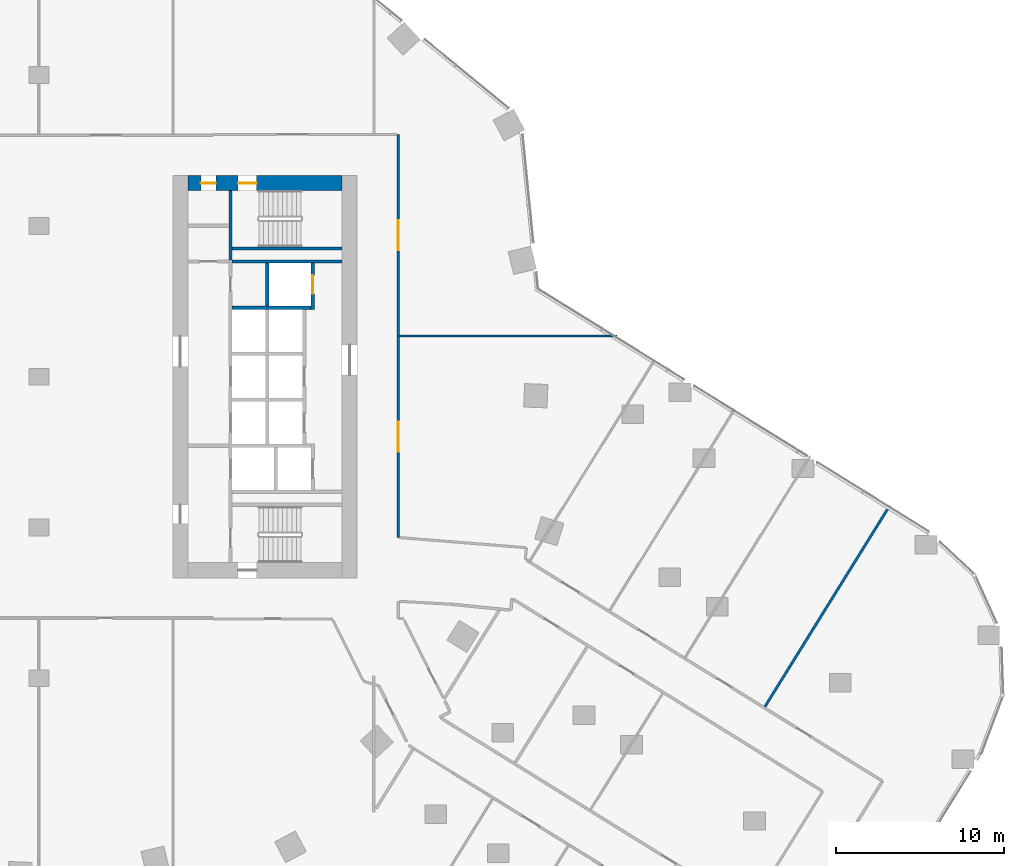
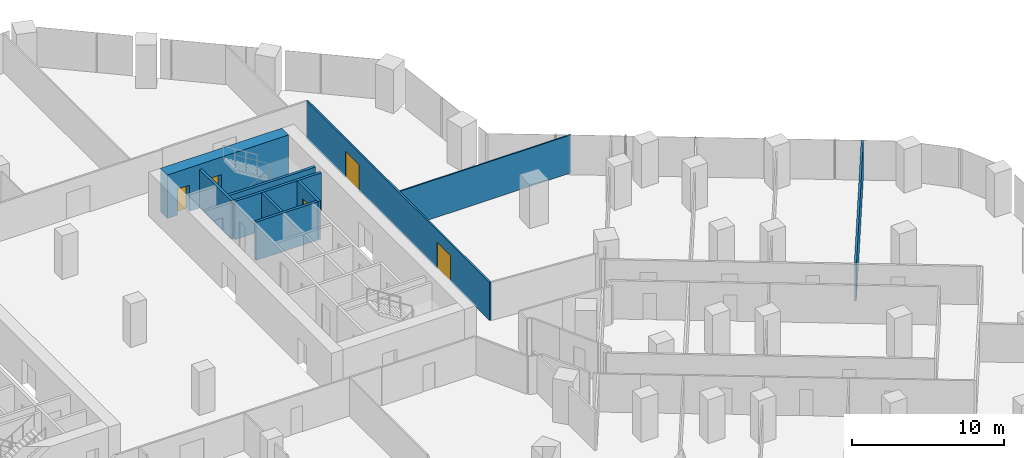
# One storey, part 32 of 34: 10 walls, 5 doors, 5 openings.
"""IFC4 building model written with IfcOpenShell, lengths in metres."""

from ifc_helpers import new_model, si_unit, direction, frame, frame_2d, origin, place, context, subcontext, project, spatial, rectangle, extrude, material, layer, layer_set, type_object, element, fill, save


model = new_model("IFC4")

# Units and contexts
model_context = context("Model", 3, precision=1e-05, world=origin(), true_north=direction((0.0, 1.0)))
body_context = subcontext(model_context, "Body", "Model", "MODEL_VIEW")
ifc_project = project(units=[si_unit("LENGTHUNIT", "METRE"), si_unit("AREAUNIT", "SQUARE_METRE"), si_unit("VOLUMEUNIT", "CUBIC_METRE"), si_unit("PLANEANGLEUNIT", "RADIAN"), si_unit("MASSUNIT", "GRAM", prefix="KILO")], contexts=[model_context])

# Site, building, storey
site_placement = place(None, origin())
site = spatial("IfcSite", under=ifc_project, at=site_placement, CompositionType="ELEMENT")
building_placement = place(site_placement, origin())
building = spatial("IfcBuilding", under=site, at=building_placement, Name="Orlundy Tower", CompositionType="ELEMENT")
storey_placement = place(building_placement, frame((0.0, 0.0, 44.300048828125)))
storey = spatial("IfcBuildingStorey", under=building, at=storey_placement, Name="L09", CompositionType="ELEMENT", Elevation=44.300048828125)

# Wall, openings, doors
ifc_material_1 = material(Name="Concrete C80/95", Category="concrete")
ifc_layer_1 = layer(ifc_material_1, 0.89990234375)
ifc_layer_set_1 = layer_set([ifc_layer_1], Name="CORE WALL 900 C80/95")
wall_type_1 = type_object("IfcWallType", Name="CORE WALL 900 C80/95", PredefinedType="SHEAR", material=ifc_layer_set_1)
wall_1_placement = place(storey_placement, frame((8.89990234375, 11.550048828125, 0.0), z_axis=(0.0, 0.0, 1.0), x_axis=(1.0, 0.0, 0.0)))
wall_1 = element("IfcWall", 1, at=wall_1_placement, inside=storey, type_object=wall_type_1, Name="Core wall E-N L09", PredefinedType="SHEAR", context=body_context, shape_type="SweptSolid", body=[
    extrude(rectangle(XDim=9.2001953125, YDim=0.89990234375, at=frame_2d((4.60009765625, 0.0))), origin(), (0.0, 0.0, 1.0), 3.5),
])
opening_1_placement = place(wall_1_placement, frame((3.0, 0.0, 0.0)))
opening_1 = element("IfcOpeningElement", 2, at=opening_1_placement, cuts=wall_1, Name="Opening 09062", PredefinedType="OPENING", context=body_context, shape_type="SweptSolid", body=[
    extrude(rectangle(XDim=1.10009765625, YDim=2.10009765625, at=frame_2d((0.550048828125, 1.050048828125))), frame((0.0, 0.4599609375, 0.0), z_axis=(0.0, -1.0, 0.0), x_axis=(1.0, 0.0, 0.0)), (0.0, 0.0, 1.0), 0.919921875),
])
opening_2_placement = place(wall_1_placement, frame((0.77001953125, 0.0, 0.0)))
opening_2 = element("IfcOpeningElement", 3, at=opening_2_placement, cuts=wall_1, Name="Opening 09064", PredefinedType="OPENING", context=body_context, shape_type="SweptSolid", body=[
    extrude(rectangle(XDim=0.89990234375, YDim=2.10009765625, at=frame_2d((0.449951171875, 1.050048828125))), frame((0.0, 0.4599609375, 0.0), z_axis=(0.0, -1.0, 0.0), x_axis=(1.0, 0.0, 0.0)), (0.0, 0.0, 1.0), 0.919921875),
])
ifc_material_2 = material(Name="Timber door set", Category="wood")
door_type_1 = type_object("IfcDoorType", Name="Room Door 900x2100", OperationType="SINGLE_SWING_LEFT", PredefinedType="DOOR", material=ifc_material_2)
door_1_placement = place(opening_2_placement, origin())
door_1 = element("IfcDoor", 4, at=door_1_placement, inside=storey, type_object=door_type_1, Name="Store door 09064", OperationType="SINGLE_SWING_LEFT", OverallHeight=2.10009765625, OverallWidth=0.89990234375, PredefinedType="DOOR", context=body_context, shape_type="SweptSolid", body=[
    extrude(rectangle(XDim=0.89990234375, YDim=2.10009765625, at=frame_2d((0.449951171875, 1.050048828125))), frame((0.0, 0.02490234375, 0.0), z_axis=(0.0, -1.0, 0.0), x_axis=(1.0, 0.0, 0.0)), (0.0, 0.0, 1.0), 0.050048828125),
])
fill(opening_2, door_1)
ifc_material_3 = material(Name="Steel door set", Category="steel")
door_type_2 = type_object("IfcDoorType", Name="Stair Door 1100x2100", OperationType="SINGLE_SWING_LEFT", PredefinedType="DOOR", material=ifc_material_3)
door_2_placement = place(opening_1_placement, origin())
door_2 = element("IfcDoor", 5, at=door_2_placement, inside=storey, type_object=door_type_2, Name="Stair door 09062", OperationType="SINGLE_SWING_LEFT", OverallHeight=2.10009765625, OverallWidth=1.10009765625, PredefinedType="DOOR", context=body_context, shape_type="SweptSolid", body=[
    extrude(rectangle(XDim=1.10009765625, YDim=2.10009765625, at=frame_2d((0.550048828125, 1.050048828125))), frame((0.0, 0.02490234375, 0.0), z_axis=(0.0, -1.0, 0.0), x_axis=(1.0, 0.0, 0.0)), (0.0, 0.0, 1.0), 0.050048828125),
])
fill(opening_1, door_2)

# Wall
ifc_material_4 = material(Name="Gypsum board partition")
ifc_layer_2 = layer(ifc_material_4, 0.10009765625)
ifc_layer_set_2 = layer_set([ifc_layer_2], Name="Floor partition 100")
wall_type_2 = type_object("IfcWallType", Name="Floor partition 100", PredefinedType="PARTITIONING", material=ifc_layer_set_2)
wall_2_placement = place(storey_placement, frame((21.511962890625, 2.427001953125, 0.0), z_axis=(0.0, 0.0, 1.0), x_axis=(1.0, 0.0, 0.0)))
element("IfcWall", 6, at=wall_2_placement, inside=storey, type_object=wall_type_2, Name="wall-int-L09-039", PredefinedType="PARTITIONING", context=body_context, shape_type="SweptSolid", body=[
    extrude(rectangle(XDim=12.969970703125, YDim=0.10009765625, at=frame_2d((6.48486328125, 0.0))), origin(), (0.0, 0.0, 1.0), 3.06005859375),
])

# Wall, openings, doors
ifc_material_5 = material(Name="Gypsum board partition, double layer")
ifc_layer_3 = layer(ifc_material_5, 0.125)
ifc_layer_set_3 = layer_set([ifc_layer_3], Name="Floor partition 125")
wall_type_3 = type_object("IfcWallType", Name="Floor partition 125", PredefinedType="PARTITIONING", material=ifc_layer_set_3)
wall_3_placement = place(storey_placement, frame((21.449951171875, 14.450927734375, 0.0), z_axis=(0.0, 0.0, 1.0), x_axis=(0.0, -1.0, 0.0)))
wall_3 = element("IfcWall", 7, at=wall_3_placement, inside=storey, type_object=wall_type_3, Name="wall-int-L09-075", PredefinedType="PARTITIONING", context=body_context, shape_type="SweptSolid", body=[
    extrude(rectangle(XDim=24.044921875, YDim=0.125, at=frame_2d((12.0224609375, 0.0))), origin(), (0.0, 0.0, 1.0), 3.06005859375),
])
opening_3_placement = place(wall_3_placement, frame((17.1240234375, 0.0, 0.0)))
opening_3 = element("IfcOpeningElement", 8, at=opening_3_placement, cuts=wall_3, Name="Opening 09129", PredefinedType="OPENING", context=body_context, shape_type="SweptSolid", body=[
    extrude(rectangle(XDim=1.800048828125, YDim=2.10009765625, at=frame_2d((0.89990234375, 1.050048828125))), frame((0.0, 0.072509765625, 0.0), z_axis=(0.0, -1.0, 0.0), x_axis=(1.0, 0.0, 0.0)), (0.0, 0.0, 1.0), 0.14501953125),
])
opening_4_placement = place(wall_3_placement, frame((5.10009765625, 0.0, 0.0)))
opening_4 = element("IfcOpeningElement", 9, at=opening_4_placement, cuts=wall_3, Name="Opening 09130", PredefinedType="OPENING", context=body_context, shape_type="SweptSolid", body=[
    extrude(rectangle(XDim=1.800048828125, YDim=2.10009765625, at=frame_2d((0.89990234375, 1.050048828125))), frame((0.0, 0.072509765625, 0.0), z_axis=(0.0, -1.0, 0.0), x_axis=(1.0, 0.0, 0.0)), (0.0, 0.0, 1.0), 0.14501953125),
])
ifc_material_6 = material(Name="Timber door leaf", Category="wood")
door_type_3 = type_object("IfcDoorType", Name="Floor door double 1800 FD30S", OperationType="NOTDEFINED", PredefinedType="DOOR", material=ifc_material_6)
door_3_placement = place(opening_3_placement, origin())
door_3 = element("IfcDoor", 10, at=door_3_placement, inside=storey, type_object=door_type_3, Name="Door 09129", OperationType="DOUBLE_DOOR_SINGLE_SWING", OverallHeight=2.10009765625, OverallWidth=1.800048828125, PredefinedType="DOOR", context=body_context, shape_type="SweptSolid", body=[
    extrude(rectangle(XDim=1.800048828125, YDim=2.10009765625, at=frame_2d((0.89990234375, 1.050048828125))), frame((0.0, 0.02490234375, 0.0), z_axis=(0.0, -1.0, 0.0), x_axis=(1.0, 0.0, 0.0)), (0.0, 0.0, 1.0), 0.050048828125),
])
fill(opening_3, door_3)
door_4_placement = place(opening_4_placement, origin())
door_4 = element("IfcDoor", 11, at=door_4_placement, inside=storey, type_object=door_type_3, Name="Door 09130", OperationType="DOUBLE_DOOR_SINGLE_SWING", OverallHeight=2.10009765625, OverallWidth=1.800048828125, PredefinedType="DOOR", context=body_context, shape_type="SweptSolid", body=[
    extrude(rectangle(XDim=1.800048828125, YDim=2.10009765625, at=frame_2d((0.89990234375, 1.050048828125))), frame((0.0, 0.02490234375, 0.0), z_axis=(0.0, -1.0, 0.0), x_axis=(1.0, 0.0, 0.0)), (0.0, 0.0, 1.0), 0.050048828125),
])
fill(opening_4, door_4)

# Walls
ifc_material_7 = material(Name="Blockwork shaft wall", Category="masonry")
ifc_layer_4 = layer(ifc_material_7, 0.14990234375)
ifc_layer_set_4 = layer_set([ifc_layer_4], Name="Floor shaft wall 150")
wall_type_4 = type_object("IfcWallType", Name="Floor shaft wall 150", PredefinedType="PARTITIONING", material=ifc_layer_set_4)
wall_4_placement = place(storey_placement, frame((43.3310546875, -19.69091796875, 0.0), z_axis=(0.0, 0.0, 1.0), x_axis=(0.527429557997, 0.849598764919, 0.0)))
element("IfcWall", 12, at=wall_4_placement, inside=storey, type_object=wall_type_4, Name="wall-int-L09-059", PredefinedType="PARTITIONING", context=body_context, shape_type="SweptSolid", body=[
    extrude(rectangle(XDim=14.123046875, YDim=0.14990234375, at=frame_2d((7.0615234375, 0.0))), origin(), (0.0, 0.0, 1.0), 3.06005859375),
])
ifc_material_8 = material(Name="Concrete C40/50", Category="concrete")
ifc_layer_5 = layer(ifc_material_8, 0.199951171875)
ifc_layer_set_5 = layer_set([ifc_layer_5], Name="Load-bearing Shaft Wall 200")
wall_type_5 = type_object("IfcWallType", Name="Load-bearing Shaft Wall 200", PredefinedType="SOLIDWALL", material=ifc_layer_set_5)
wall_5_placement = place(storey_placement, frame((11.43994140625, 11.10009765625, 0.0), z_axis=(0.0, 0.0, 1.0), x_axis=(0.0, -1.0, 0.0)))
element("IfcWall", 13, at=wall_5_placement, inside=storey, type_object=wall_type_5, Name="Shaft wall E09-stair-end-s", PredefinedType="SOLIDWALL", context=body_context, shape_type="SweptSolid", body=[
    extrude(rectangle(XDim=4.125, YDim=0.199951171875, at=frame_2d((2.0625, 0.0))), origin(), (0.0, 0.0, 1.0), 3.079833984375),
])
wall_6_placement = place(storey_placement, frame((11.5400390625, 7.64990234375, 0.0), z_axis=(0.0, 0.0, 1.0), x_axis=(1.0, 0.0, 0.0)))
element("IfcWall", 14, at=wall_6_placement, inside=storey, type_object=wall_type_5, Name="Shaft wall E09-stair-side-s", PredefinedType="SOLIDWALL", context=body_context, shape_type="SweptSolid", body=[
    extrude(rectangle(XDim=6.56005859375, YDim=0.199951171875, at=frame_2d((3.280029296875, 0.0))), origin(), (0.0, 0.0, 1.0), 3.079833984375),
])
ifc_material_9 = material(Name="Fire-rated blockwork shaft wall", Category="masonry")
ifc_layer_6 = layer(ifc_material_9, 0.199951171875)
ifc_layer_set_6 = layer_set([ifc_layer_6], Name="Shaft Wall 200")
wall_type_6 = type_object("IfcWallType", Name="Shaft Wall 200", PredefinedType="SOLIDWALL", material=ifc_layer_set_6)
wall_7_placement = place(storey_placement, frame((11.5400390625, 6.875, 0.0), z_axis=(0.0, 0.0, 1.0), x_axis=(1.0, 0.0, 0.0)))
element("IfcWall", 15, at=wall_7_placement, inside=storey, type_object=wall_type_6, Name="Shaft wall E09-zone-s", PredefinedType="SOLIDWALL", context=body_context, shape_type="SweptSolid", body=[
    extrude(rectangle(XDim=6.56005859375, YDim=0.199951171875, at=frame_2d((3.280029296875, 0.0))), origin(), (0.0, 0.0, 1.0), 3.079833984375),
])
wall_8_placement = place(storey_placement, frame((11.5400390625, 4.125, 0.0), z_axis=(0.0, 0.0, 1.0), x_axis=(1.0, 0.0, 0.0)))
element("IfcWall", 16, at=wall_8_placement, inside=storey, type_object=wall_type_6, Name="Shaft wall E09-cross-4.125", PredefinedType="SOLIDWALL", context=body_context, shape_type="SweptSolid", body=[
    extrude(rectangle(XDim=4.699951171875, YDim=0.199951171875, at=frame_2d((2.35009765625, 0.0))), origin(), (0.0, 0.0, 1.0), 3.079833984375),
])
wall_9_placement = place(storey_placement, frame((13.639892578125, 6.77490234375, 0.0), z_axis=(0.0, 0.0, 1.0), x_axis=(0.0, -1.0, 0.0)))
element("IfcWall", 17, at=wall_9_placement, inside=storey, type_object=wall_type_6, Name="Shaft wall E09-mid-a", PredefinedType="SOLIDWALL", context=body_context, shape_type="SweptSolid", body=[
    extrude(rectangle(XDim=2.5498046875, YDim=0.199951171875, at=frame_2d((1.27490234375, 0.0))), origin(), (0.0, 0.0, 1.0), 3.079833984375),
])

# Wall, opening, door
wall_10_placement = place(storey_placement, frame((16.340087890625, 6.77490234375, 0.0), z_axis=(0.0, 0.0, 1.0), x_axis=(0.0, -1.0, 0.0)))
wall_10 = element("IfcWall", 18, at=wall_10_placement, inside=storey, type_object=wall_type_6, Name="Shaft wall E09-front-o-a", PredefinedType="SOLIDWALL", context=body_context, shape_type="SweptSolid", body=[
    extrude(rectangle(XDim=2.75, YDim=0.199951171875, at=frame_2d((1.375, 0.0))), origin(), (0.0, 0.0, 1.0), 3.079833984375),
])
opening_5_placement = place(wall_10_placement, frame((0.72509765625, 0.0, 0.0)))
opening_5 = element("IfcOpeningElement", 19, at=opening_5_placement, cuts=wall_10, Name="Opening 09050", PredefinedType="OPENING", context=body_context, shape_type="SweptSolid", body=[
    extrude(rectangle(XDim=1.10009765625, YDim=2.10009765625, at=frame_2d((0.550048828125, 1.050048828125))), frame((0.0, 0.110107421875, 0.0), z_axis=(0.0, -1.0, 0.0), x_axis=(1.0, 0.0, 0.0)), (0.0, 0.0, 1.0), 0.22021484375),
])
ifc_material_10 = material(Name="Steel door set", Category="steel")
door_type_4 = type_object("IfcDoorType", Name="Landing Door 1100x2100", OperationType="DOUBLE_DOOR_SLIDING", PredefinedType="DOOR", material=ifc_material_10)
door_5_placement = place(opening_5_placement, origin())
door_5 = element("IfcDoor", 20, at=door_5_placement, inside=storey, type_object=door_type_4, Name="Lift landing door LV-02 09050", OperationType="DOUBLE_DOOR_SLIDING", OverallHeight=2.10009765625, OverallWidth=1.10009765625, PredefinedType="DOOR", context=body_context, shape_type="SweptSolid", body=[
    extrude(rectangle(XDim=1.10009765625, YDim=2.10009765625, at=frame_2d((0.550048828125, 1.050048828125))), frame((0.0, 0.02490234375, 0.0), z_axis=(0.0, -1.0, 0.0), x_axis=(1.0, 0.0, 0.0)), (0.0, 0.0, 1.0), 0.050048828125),
])
fill(opening_5, door_5)

save(model, "model.ifc")
